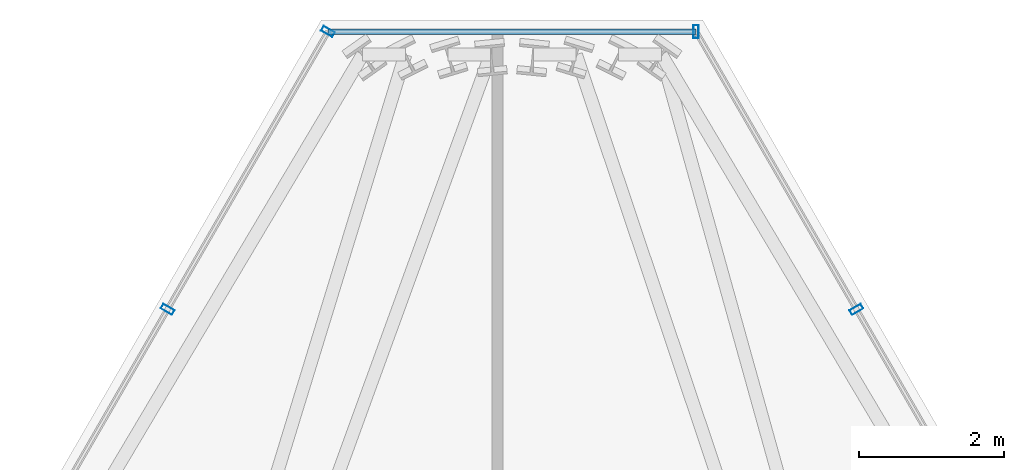
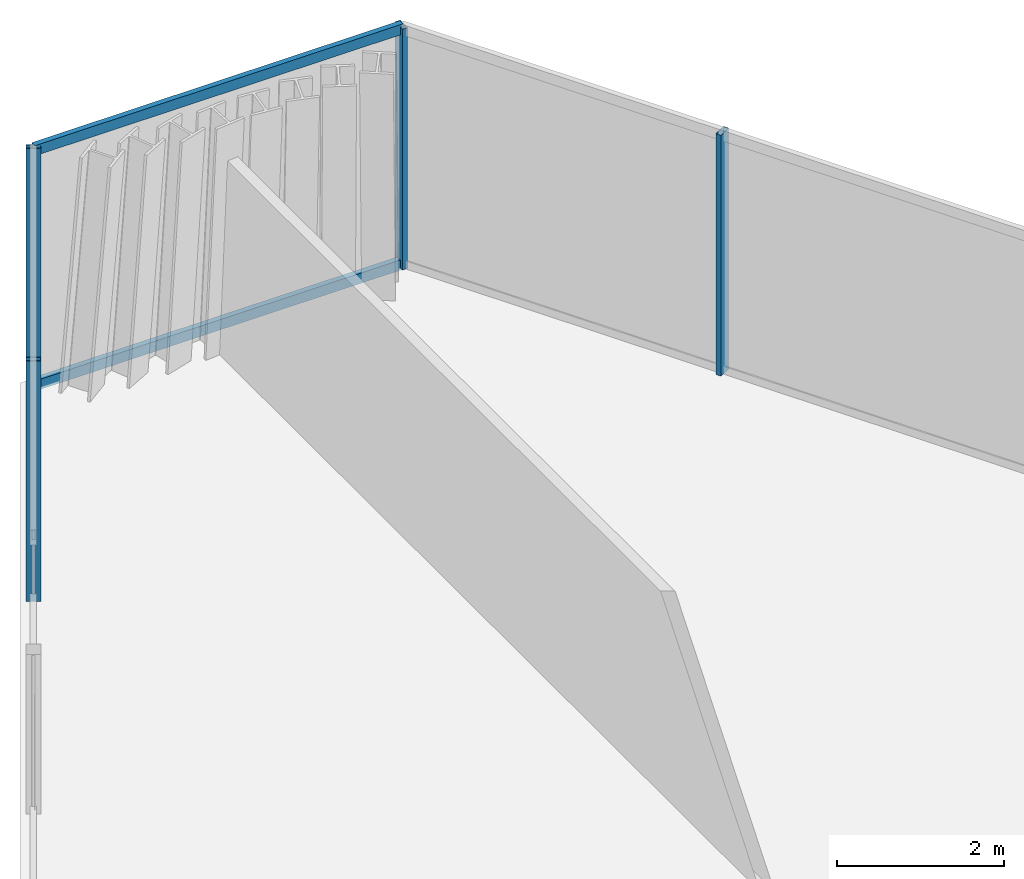
# One storey, part 28 of 35: 6 members, 3 elements without a shape of their own.
"""IFC4 building model written with IfcOpenShell, lengths in metres."""

from ifc_helpers import new_model, si_unit, direction, frame, origin, origin_2d, place, context, subcontext, project, spatial, hollow_rectangle, extrude, material, layer, layer_set, material_profile, profile_set, type_object, element, aggregate, save


model = new_model("IFC4")

# Units and contexts
model_context = context("Model", 3, precision=1e-05, world=origin(), true_north=direction((0.0, 1.0)))
body_context = subcontext(model_context, "Body", "Model", "MODEL_VIEW")
ifc_project = project(units=[si_unit("LENGTHUNIT", "METRE"), si_unit("AREAUNIT", "SQUARE_METRE"), si_unit("VOLUMEUNIT", "CUBIC_METRE"), si_unit("PLANEANGLEUNIT", "RADIAN"), si_unit("MASSUNIT", "GRAM", prefix="KILO")], contexts=[model_context])

# Site, building, storey
site_placement = place(None, origin())
site = spatial("IfcSite", under=ifc_project, at=site_placement, CompositionType="ELEMENT")
building_placement = place(site_placement, origin())
building = spatial("IfcBuilding", under=site, at=building_placement, Name="Ndaravel Arena Tower", CompositionType="ELEMENT")
storey_placement = place(building_placement, frame((0.0, 0.0, 275.0)))
storey = spatial("IfcBuildingStorey", under=building, at=storey_placement, Name="L67", CompositionType="ELEMENT", Elevation=275.0)

# Curtain wall, member
ifc_material_1 = material(Name="Aluminium", Category="aluminium")
ifc_layer_1 = layer(ifc_material_1, 0.179931640625)
ifc_layer_set_1 = layer_set([ifc_layer_1], Name="Aluminium")
curtain_wall_type_1 = type_object("IfcCurtainWallType", Name="CW-SYS-03", PredefinedType="NOTDEFINED", material=ifc_layer_set_1)
curtain_wall_1_placement = place(storey_placement, origin())
curtain_wall_1 = element("IfcCurtainWall", 1, at=curtain_wall_1_placement, inside=storey, type_object=curtain_wall_type_1, Name="L67 Faceted Crystal Curtain Wall CW-L67-E03", PredefinedType="NOTDEFINED")
ifc_material_2 = material(Name="Aluminium", Category="aluminium")
ifc_material_profile_1 = material_profile(ifc_material_2, hollow_rectangle(XDim=0.074951171875, YDim=0.179931640625, WallThickness=0.00390625, at=origin_2d()), Name="CW MULLION 75x180x4")
ifc_profile_set_1 = profile_set([ifc_material_profile_1], Name="Aluminium")
member_type_1 = type_object("IfcMemberType", Name="MEM-CW-MUL180", PredefinedType="MULLION", material=ifc_profile_set_1)
member_1_placement = place(storey_placement, frame((46.762451171875, 40.296875, 0.0), z_axis=(0.0, 0.0, 1.0), x_axis=(-0.5, 0.866025403784, 0.0)))
member_1 = element("IfcMember", 2, at=member_1_placement, type_object=member_type_1, Name="CW-L67-E03 Mullion 08", PredefinedType="MULLION", context=body_context, shape_type="SweptSolid", body=[
    extrude(hollow_rectangle(XDim=0.074951171875, YDim=0.179931640625, WallThickness=0.00390625, at=origin_2d()), origin(), (0.0, 0.0, 1.0), 3.52001953125),
])
aggregate(curtain_wall_1, [member_1])

ifc_material_3 = material(Name="Aluminium", Category="aluminium")
ifc_layer_2 = layer(ifc_material_3, 0.179931640625)
ifc_layer_set_2 = layer_set([ifc_layer_2], Name="Aluminium")
curtain_wall_type_2 = type_object("IfcCurtainWallType", Name="CW-SYS-01", PredefinedType="NOTDEFINED", material=ifc_layer_set_2)
curtain_wall_2_placement = place(storey_placement, origin())
curtain_wall_2 = element("IfcCurtainWall", 3, at=curtain_wall_2_placement, inside=storey, type_object=curtain_wall_type_2, Name="L67 Faceted Crystal Curtain Wall CW-L67-E04", PredefinedType="NOTDEFINED")
member_2_placement = place(storey_placement, frame((44.544921875, 44.137939453125, 0.0), z_axis=(0.0, 0.0, 1.0), x_axis=(-1.0, 0.0, 0.0)))
member_2 = element("IfcMember", 4, at=member_2_placement, type_object=member_type_1, Name="CW-L67-E04 Mullion 00", PredefinedType="MULLION", context=body_context, shape_type="SweptSolid", body=[
    extrude(hollow_rectangle(XDim=0.074951171875, YDim=0.179931640625, WallThickness=0.00390625, at=origin_2d()), origin(), (0.0, 0.0, 1.0), 3.52001953125),
])

# Curtain wall, members
curtain_wall_3_placement = place(storey_placement, origin())
curtain_wall_3 = element("IfcCurtainWall", 5, at=curtain_wall_3_placement, inside=storey, type_object=curtain_wall_type_1, Name="L67 Faceted Crystal Curtain Wall CW-L67-E05", PredefinedType="NOTDEFINED")
member_3_placement = place(storey_placement, frame((39.455078125, 44.137939453125, 0.0), z_axis=(0.0, 0.0, 1.0), x_axis=(-0.5, -0.866025403784, 0.0)))
member_3 = element("IfcMember", 6, at=member_3_placement, type_object=member_type_1, Name="CW-L67-E05 Mullion 00", PredefinedType="MULLION", context=body_context, shape_type="SweptSolid", body=[
    extrude(hollow_rectangle(XDim=0.074951171875, YDim=0.179931640625, WallThickness=0.00390625, at=origin_2d()), origin(), (0.0, 0.0, 1.0), 3.52001953125),
])
member_4_placement = place(storey_placement, frame((37.237548828125, 40.296875, 0.0), z_axis=(0.0, 0.0, 1.0), x_axis=(-0.5, -0.866025403784, 0.0)))
member_4 = element("IfcMember", 7, at=member_4_placement, type_object=member_type_1, Name="CW-L67-E05 Mullion 01", PredefinedType="MULLION", context=body_context, shape_type="SweptSolid", body=[
    extrude(hollow_rectangle(XDim=0.074951171875, YDim=0.179931640625, WallThickness=0.00390625, at=origin_2d()), origin(), (0.0, 0.0, 1.0), 3.52001953125),
])
aggregate(curtain_wall_3, [member_3, member_4])

# Member
ifc_material_4 = material(Name="Aluminium", Category="aluminium")
ifc_material_profile_2 = material_profile(ifc_material_4, hollow_rectangle(XDim=0.074951171875, YDim=0.14990234375, WallThickness=0.00390625, at=origin_2d()), Name="CW TRANSOM 75x150x4")
ifc_profile_set_2 = profile_set([ifc_material_profile_2], Name="Aluminium")
member_type_2 = type_object("IfcMemberType", Name="MEM-CW-TRN150", PredefinedType="USERDEFINED", material=ifc_profile_set_2)
member_5_placement = place(storey_placement, frame((44.544921875, 44.137939453125, 0.0400390625), z_axis=(-1.0, 0.0, 0.0), x_axis=(0.0, -1.0, 0.0)))
member_5 = element("IfcMember", 8, at=member_5_placement, type_object=member_type_2, Name="CW-L67-E04 Transom 01", ObjectType="TRANSOM", PredefinedType="USERDEFINED", context=body_context, shape_type="SweptSolid", body=[
    extrude(hollow_rectangle(XDim=0.074951171875, YDim=0.14990234375, WallThickness=0.00390625, at=origin_2d()), origin(), (0.0, 0.0, 1.0), 5.08984375),
])

member_6_placement = place(storey_placement, frame((44.544921875, 44.137939453125, 3.47998046875), z_axis=(-1.0, 0.0, 0.0), x_axis=(0.0, -1.0, 0.0)))
member_6 = element("IfcMember", 9, at=member_6_placement, type_object=member_type_2, Name="CW-L67-E04 Transom 02", ObjectType="TRANSOM", PredefinedType="USERDEFINED", context=body_context, shape_type="SweptSolid", body=[
    extrude(hollow_rectangle(XDim=0.074951171875, YDim=0.14990234375, WallThickness=0.00390625, at=origin_2d()), origin(), (0.0, 0.0, 1.0), 5.08984375),
])

aggregate(curtain_wall_2, [member_2, member_5, member_6])

save(model, "model.ifc")
